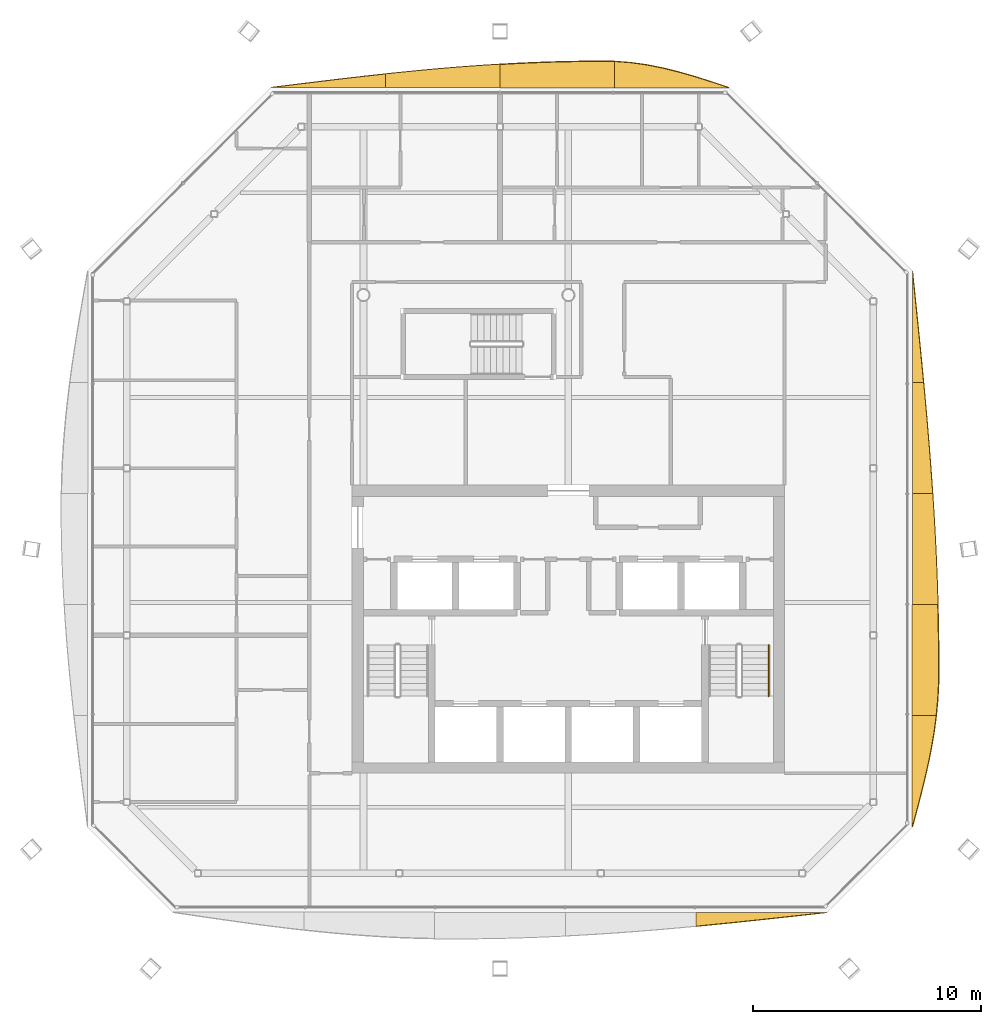
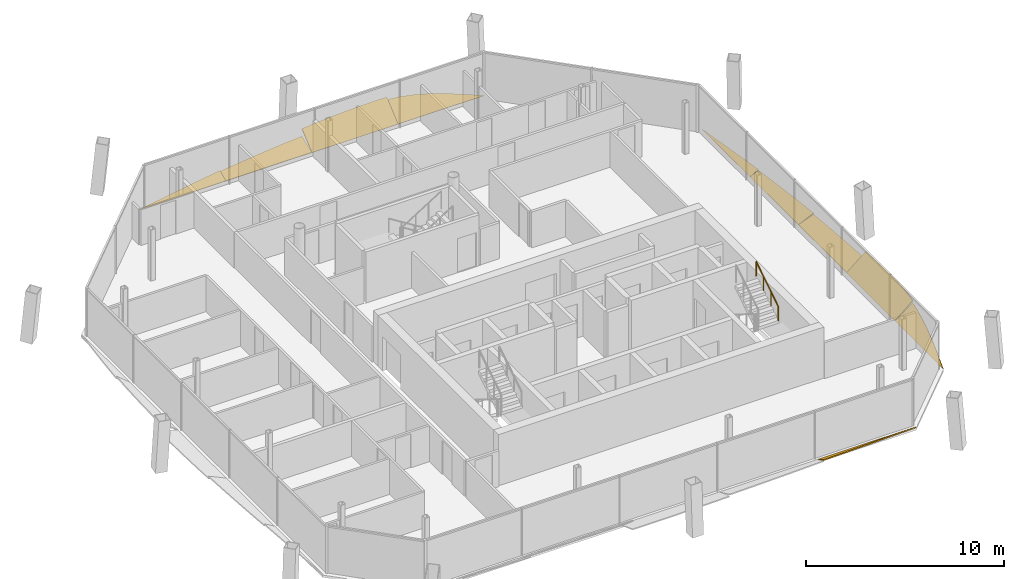
# One storey, part 15 of 15: 10 shading devices, 1 railing.
"""IFC4 building model written with IfcOpenShell, lengths in metres."""

from ifc_helpers import new_model, si_unit, direction, frame, origin, origin_2d, place, context, subcontext, project, spatial, polyline, circle, outline, extrude, material, layer, layer_set, type_object, element, save


model = new_model("IFC4")

# Units and contexts
model_context = context("Model", 3, precision=1e-05, world=origin(), true_north=direction((0.0, 1.0)))
body_context = subcontext(model_context, "Body", "Model", "MODEL_VIEW")
ifc_project = project(units=[si_unit("LENGTHUNIT", "METRE"), si_unit("AREAUNIT", "SQUARE_METRE"), si_unit("VOLUMEUNIT", "CUBIC_METRE"), si_unit("PLANEANGLEUNIT", "RADIAN"), si_unit("MASSUNIT", "GRAM", prefix="KILO")], contexts=[model_context])

# Site, building, storey
site_placement = place(None, origin())
site = spatial("IfcSite", under=ifc_project, at=site_placement, CompositionType="ELEMENT")
building_placement = place(site_placement, origin())
building = spatial("IfcBuilding", under=site, at=building_placement, Name="Tskaro Facet Tower", CompositionType="ELEMENT")
storey_placement = place(building_placement, frame((0.0, 0.0, 242.39990234375)))
storey = spatial("IfcBuildingStorey", under=building, at=storey_placement, Name="L63", CompositionType="ELEMENT", Elevation=242.39990234375)

# Shading devices
ifc_material_1 = material(Name="Bronze anodised aluminium 6063-T6", Category="aluminium")
ifc_layer = layer(ifc_material_1, 0.06005859375, Name="Bronze anodised aluminium 6063-T6")
ifc_layer_set = layer_set([ifc_layer], Name="Bronze anodised aluminium 6063-T6")
shading_device_type = type_object("IfcShadingDeviceType", Name="Bronze sun blade (FN1)", PredefinedType="USERDEFINED", material=ifc_layer_set)
shading_device_1_placement = place(storey_placement, frame((5.6142578125, -18.10888671875, 0.052001953125), z_axis=(-1.4963873e-05, 0.499956735185, 0.866050381167), x_axis=(0.999999999888, 7.481289e-06, 1.2959468e-05)))
element("IfcShadingDevice", 1, at=shading_device_1_placement, inside=storey, type_object=shading_device_type, Name="Fin blade south 5", ObjectType="FIN", PredefinedType="USERDEFINED", context=body_context, shape_type="SweptSolid", body=[
    extrude(outline(polyline([(0.0, 0.0), (5.742675780607057, 4.864235592118079e-21), (5.024902343909564, -0.0922095453207542), (4.307128906363663, -0.1835406568977893), (3.5891113286818306, -0.2743268325622833), (2.8713378912656067, -0.36368963857051695), (2.153564452152571, -0.4512955770913125), (1.435546874370726, -0.5367217719619435), (0.7177734360060829, -0.619846163432595), (-1.2508031272013092e-09, -0.6999123775093629), (0.0, 0.0)])), origin(), (0.0, 0.0, -1.0), 0.06005859375),
])
shading_device_2_placement = place(storey_placement, frame((15.1044921875, -14.35693359375, 0.04931640625), z_axis=(-0.573473765832, -1.2318667e-05, 0.81922392528), x_axis=(-7.064432e-06, 0.999999999924, 1.0091747e-05)))
element("IfcShadingDevice", 2, at=shading_device_2_placement, inside=storey, type_object=shading_device_type, Name="Fin blade east 1", ObjectType="FIN", PredefinedType="USERDEFINED", context=body_context, shape_type="SweptSolid", body=[
    extrude(outline(polyline([(0.0, 0.0), (4.881835937129592, 0.0), (4.8818359376486, -1.2817899443228988), (4.1843261730815975, -1.1680055119573325), (3.4868164070415317, -1.0237398902538977), (2.789550779906339, -0.8528532293401152), (2.0920410158457114, -0.6598257099155191), (1.3947753897027968, -0.4496575195569917), (0.6972656236760383, -0.2279088788159026), (0.0, 0.0)])), origin(), (0.0, 0.0, -1.0), 0.06005859375),
])
shading_device_3_placement = place(storey_placement, frame((15.100341796875, -9.47509765625, 0.046142578125), z_axis=(-0.642738478334, -6.605698e-06, 0.766085666506), x_axis=(-4.245736e-06, 0.999999999978, 5.060531e-06)))
element("IfcShadingDevice", 3, at=shading_device_3_placement, inside=storey, type_object=shading_device_type, Name="Fin blade east 2", ObjectType="FIN", PredefinedType="USERDEFINED", context=body_context, shape_type="SweptSolid", body=[
    extrude(outline(polyline([(0.0, 0.0), (4.881591796768496, 0.0), (4.881591796611963, -1.4624292639918404), (4.184326171563742, -1.4840918417724436), (3.486816406215255, -1.5003780047513502), (2.7895507814186424, -1.510599850514072), (2.092041015086283, -1.5152883629012817), (1.9038085944508707, -1.5154452814750972), (1.3947753909498775, -1.5048794845051314), (0.6972656249540596, -1.4567088979828995), (-6.146243580553804e-10, -1.370589570701158), (0.0, 0.0)])), origin(), (0.0, 0.0, -1.0), 0.06005859375),
])
shading_device_4_placement = place(storey_placement, frame((15.118408203125, -4.593505859375, 0.056396484375), z_axis=(-0.342041096448, -7.301837e-06, 0.93968499418), x_axis=(-2.497528e-06, 0.999999999973, 6.861427e-06)))
element("IfcShadingDevice", 4, at=shading_device_4_placement, inside=storey, type_object=shading_device_type, Name="Fin blade east 3", ObjectType="FIN", PredefinedType="USERDEFINED", context=body_context, shape_type="SweptSolid", body=[
    extrude(outline(polyline([(0.0, 0.0), (4.881835937369858, 0.0), (4.881835937162822, -0.9444031554073832), (4.184570312223004, -0.9922104777697812), (3.4870605480383983, -1.0359296249882417), (2.789794921289189, -1.0758524153722115), (2.0922851559049396, -1.1114576153304556), (1.395019530850736, -1.142891134017697), (0.6975097660960872, -1.1696941408703596), (-6.286627345059338e-10, -1.1922419603249548), (0.0, 0.0)])), origin(), (0.0, 0.0, -1.0), 0.06005859375),
])
shading_device_5_placement = place(storey_placement, frame((15.113525390625, 0.288330078125, 0.054443359375), z_axis=(-0.422612022848, -1.4572799e-05, 0.906310696137), x_axis=(-6.15864e-06, 0.999999999894, 1.3207484e-05)))
element("IfcShadingDevice", 5, at=shading_device_5_placement, inside=storey, type_object=shading_device_type, Name="Fin blade east 4", ObjectType="FIN", PredefinedType="USERDEFINED", context=body_context, shape_type="SweptSolid", body=[
    extrude(outline(polyline([(0.0, 0.0), (4.8818359369816315, 0.0), (4.88183593720718, -0.5401111297246228), (4.184570311949066, -0.6112164282161616), (3.487060546700212, -0.6799176143156913), (2.7895507803646846, -0.7458902439999879), (2.092285156791941, -0.8092374940324532), (1.3947753912902139, -0.8693104763666386), (0.6975097651094522, -0.9261091910025444), (-1.4967187026952106e-09, -0.9794123706803481), (0.0, 0.0)])), origin(), (0.0, 0.0, -1.0), 0.06005859375),
])
shading_device_6_placement = place(storey_placement, frame((15.10888671875, 5.170166015625, 0.052001953125), z_axis=(-0.500025617084, -2.8532626e-05, 0.866010612779), x_axis=(-1.4267044e-05, 0.999999999593, 2.4709557e-05)))
element("IfcShadingDevice", 6, at=shading_device_6_placement, inside=storey, type_object=shading_device_type, Name="Fin blade east 5", ObjectType="FIN", PredefinedType="USERDEFINED", context=body_context, shape_type="SweptSolid", body=[
    extrude(outline(polyline([(0.0, 0.0), (4.881835935512823, 0.0), (4.1843261707306425, -0.0834578911237945), (3.487060547507087, -0.16637084893617532), (2.789550778559746, -0.24861679687042196), (2.0922851546541956, -0.33010638312090834), (1.394775389441749, -0.41017259780950033), (0.6975097676553732, -0.4886040125638513), (-4.019946544180997e-09, -0.5651564742505202), (0.0, 0.0)])), origin(), (0.0, 0.0, -1.0), 0.06005859375),
])
shading_device_7_placement = place(storey_placement, frame((7.052001953125, 18.1044921875, 0.04931640625), z_axis=(7.246954e-06, -0.573458233932, 0.819234797774), x_axis=(-0.999999999974, -4.155826e-06, 5.936957e-06)))
element("IfcShadingDevice", 7, at=shading_device_7_placement, inside=storey, type_object=shading_device_type, Name="Fin blade north 1", ObjectType="FIN", PredefinedType="USERDEFINED", context=body_context, shape_type="SweptSolid", body=[
    extrude(outline(polyline([(0.0, 0.0), (5.0261230467430185, 0.0), (5.026123046939077, -1.4057347728741476), (4.30810546897546, -1.3392921839083174), (3.5900878905749383, -1.2158873757706699), (2.872070312317487, -1.040940559252617), (2.154052734928103, -0.8219720268726951), (1.436035154928448, -0.5681821395216222), (0.7180175784065902, -0.29029131069440606), (0.0, 0.0)])), origin(), (0.0, 0.0, -1.0), 0.06005859375),
])
shading_device_8_placement = place(storey_placement, frame((2.02587890625, 18.100341796875, 0.046142578125), z_axis=(5.173136e-06, -0.64272735668, 0.766094997339), x_axis=(-0.999999999987, -3.324916e-06, 3.963114e-06)))
element("IfcShadingDevice", 8, at=shading_device_8_placement, inside=storey, type_object=shading_device_type, Name="Fin blade north 2", ObjectType="FIN", PredefinedType="USERDEFINED", context=body_context, shape_type="SweptSolid", body=[
    extrude(outline(polyline([(0.0, 0.0), (5.025878906182751, -2.1285425112520785e-21), (5.025878906081282, -1.3355794726585195), (4.30786132789481, -1.3868757343104352), (3.5898437495275064, -1.4298569393758669), (2.8718261717911195, -1.4643360529433522), (2.1538085935622826, -1.4898122083842955), (1.4357910159643614, -1.5067862723272927), (0.7177734378739897, -1.5147573781437478), (0.4421386725642978, -1.5154452796838054), (-3.877793368199604e-10, -1.5031597297155417), (0.0, 0.0)])), origin(), (0.0, 0.0, -1.0), 0.06005859375),
])
shading_device_9_placement = place(storey_placement, frame((-3.0, 18.118408203125, 0.056396484375), z_axis=(-1.2512843e-05, -0.342093539167, 0.939665903555), x_axis=(-0.999999999922, 4.280563e-06, -1.1757892e-05)))
element("IfcShadingDevice", 9, at=shading_device_9_placement, inside=storey, type_object=shading_device_type, Name="Fin blade north 3", ObjectType="FIN", PredefinedType="USERDEFINED", context=body_context, shape_type="SweptSolid", body=[
    extrude(outline(polyline([(0.0, 0.0), (5.025878905856546, 0.0), (5.025878906991523, -0.6346984762957952), (4.308105467830993, -0.7142522465350553), (3.590087889593067, -0.7898637438764664), (2.8720703115930677, -0.8605318069055492), (2.1540527338309965, -0.9262564356223035), (1.4360351570873133, -0.9864952898542563), (0.7180175792718997, -1.0407895483594012), (-6.603035243578053e-10, -1.0889098005167352), (0.0, 0.0)])), origin(), (0.0, 0.0, -1.0), 0.06005859375),
])
shading_device_10_placement = place(storey_placement, frame((-8.02587890625, 18.113525390625, 0.054443359375), z_axis=(1.424682e-06, -0.422568273367, 0.906331095319), x_axis=(-0.999999999999, -6.02025e-07, 1.291234e-06)))
element("IfcShadingDevice", 10, at=shading_device_10_placement, inside=storey, type_object=shading_device_type, Name="Fin blade north 4", ObjectType="FIN", PredefinedType="USERDEFINED", context=body_context, shape_type="SweptSolid", body=[
    extrude(outline(polyline([(0.0, 0.0), (5.026123046869899, -5.321614772071619e-22), (4.308105468710866, -0.09884831218948548), (3.5900878908245075, -0.19670836933633273), (2.872070312433357, -0.29359511151588), (2.1540527344405724, -0.38872661585021917), (1.4360351560474072, -0.48157211185218673), (0.7180175781570173, -0.5713496766438746), (-8.060538229313604e-12, -0.658074250300621), (0.0, 0.0)])), origin(), (0.0, 0.0, -1.0), 0.06005859375),
])

# Railing
ifc_material_2 = material(Name="Stainless steel", Category="steel")
railing_type = type_object("IfcRailingType", Name="RL-HANDRAIL-900", PredefinedType="HANDRAIL", material=ifc_material_2)
railing_placement = place(storey_placement, frame((8.800048828125, -8.614990234375, 1.75)))
element("IfcRailing", 11, at=railing_placement, inside=storey, type_object=railing_type, Name="L63 ST-2 stair handrail 2", PredefinedType="HANDRAIL", context=body_context, shape_type="SweptSolid", body=[
    extrude(circle(Radius=0.02392578125, at=origin_2d()), frame((0.0, 0.0, 0.8759765625), z_axis=(0.0, 0.847972341737, 0.530040477369), x_axis=(-1.0, 0.0, 0.0)), (0.0, 0.0, 1.0), 2.6416015625),
    extrude(circle(Radius=0.02099609375, at=origin_2d()), origin(), (0.0, 0.0, 1.0), 0.851806640625),
    extrude(circle(Radius=0.02099609375, at=origin_2d()), frame((0.0, 0.74658203125, 0.466796875)), (0.0, 0.0, 1.0), 0.851806640625),
    extrude(circle(Radius=0.02099609375, at=origin_2d()), frame((0.0, 1.493408203125, 0.933349609375)), (0.0, 0.0, 1.0), 0.851806640625),
    extrude(circle(Radius=0.02099609375, at=origin_2d()), frame((0.0, 2.239990234375, 1.400146484375)), (0.0, 0.0, 1.0), 0.851806640625),
])

save(model, "model.ifc")
